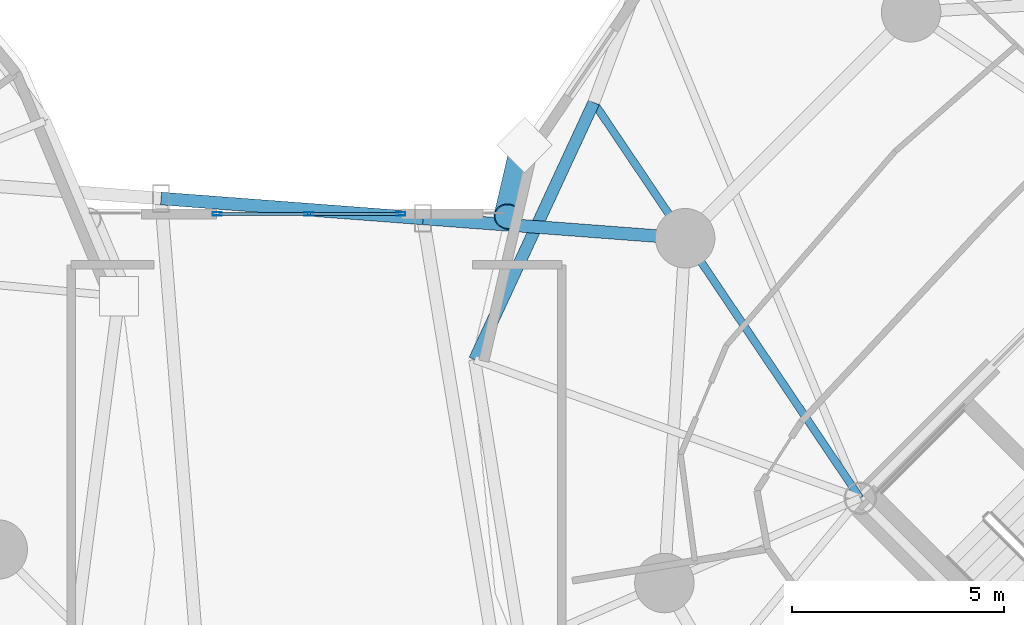
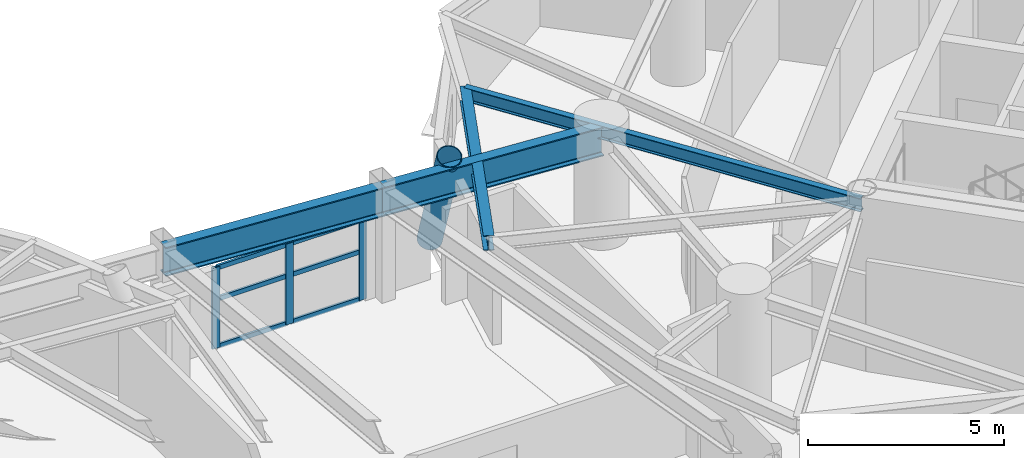
# One storey, part 6 of 20: 10 members, 4 beams, 1 element without a shape of its own.
"""IFC4 building model written with IfcOpenShell, lengths in metres."""

import ifcopenshell
import ifcopenshell.guid

model = None  # the IFC model being written
_history = None  # IfcOwnerHistory: only IFC2X3 demands one
_inside = {}  # id of a spatial element -> (the spatial element, [elements in it])
_under = {}  # id of a project, library or spatial element -> (it, [spatial elements below it])
_declared = {}  # id of a project -> (the project, [libraries it declares])
_typed = {}  # id of a type object -> (the type object, [elements of that type])
_made_of = {}  # id of a material, layer set ... -> (it, [elements and type objects made of it])


def new_model(schema):
    """Start an empty IFC model of exactly this schema.

    Asked for "IFC4X3", IfcOpenShell would pick the latest addendum, in which some entities
    have other attributes; the version numbers below select the first issue.
    IFC2X3 requires an IfcOwnerHistory on every rooted entity: one is made here for all.
    """
    global model, _history
    if schema == "IFC4X3":
        model = ifcopenshell.file(schema_version=(4, 3, 0, 0))
    else:
        model = ifcopenshell.file(schema=schema)
    _inside.clear()
    _under.clear()
    _declared.clear()
    _typed.clear()
    _made_of.clear()
    _history = None
    if model.schema == "IFC2X3":
        org = make("IfcOrganization", Name="unknown")
        user = make(
            "IfcPersonAndOrganization",
            ThePerson=make("IfcPerson", FamilyName="unknown"),
            TheOrganization=org,
        )
        app = make(
            "IfcApplication",
            ApplicationDeveloper=org,
            Version="unknown",
            ApplicationFullName="unknown",
            ApplicationIdentifier="unknown",
        )
        _history = make(
            "IfcOwnerHistory",
            OwningUser=user,
            OwningApplication=app,
            ChangeAction="ADDED",
            CreationDate=0,
        )
    return model


def make(cls, **values):
    """One entity of the class cls with the attributes given. An attribute that is None is left unset."""
    return model.create_entity(
        cls, **{name: value for name, value in values.items() if value is not None}
    )


def rooted(cls, **values):
    """An entity with a GlobalId (a new one), such as an element, a storey or a relation."""
    return make(cls, GlobalId=ifcopenshell.guid.new(), OwnerHistory=_history, **values)


def si_unit(unit_type, name, prefix=None):
    """IfcSIUnit, for example si_unit("LENGTHUNIT", "METRE", prefix="MILLI")."""
    return make("IfcSIUnit", UnitType=unit_type, Prefix=prefix, Name=name)


def assignment(units):
    """IfcUnitAssignment: the units of a project."""
    return None if units is None else make("IfcUnitAssignment", Units=units)


def point(xyz):
    """IfcCartesianPoint."""
    return None if xyz is None else make("IfcCartesianPoint", Coordinates=xyz)


def direction(xyz):
    """IfcDirection."""
    return None if xyz is None else make("IfcDirection", DirectionRatios=xyz)


def frame(location, z_axis=None, x_axis=None):
    """IfcAxis2Placement3D, a coordinate frame: its origin and axes. An axis left out is left unset."""
    return make(
        "IfcAxis2Placement3D",
        Location=point(location),
        Axis=direction(z_axis),
        RefDirection=direction(x_axis),
    )


def frame_2d(location, x_axis=None):
    """IfcAxis2Placement2D, a coordinate frame in the plane: its origin and x axis."""
    return make(
        "IfcAxis2Placement2D", Location=point(location), RefDirection=direction(x_axis)
    )


def origin():
    """The frame at (0, 0, 0) with its axes left unset."""
    return frame((0.0, 0.0, 0.0))


def origin_2d():
    """The frame at (0, 0) in the plane with its x axis left unset."""
    return frame_2d((0.0, 0.0))


def place(relative_to, where):
    """IfcLocalPlacement: puts the frame where relative to a parent placement (None: the world)."""
    return make(
        "IfcLocalPlacement", PlacementRelTo=relative_to, RelativePlacement=where
    )


def context(
    kind, dimensions, precision=None, world=None, true_north=None, identifier=None
):
    """IfcGeometricRepresentationContext, for example the 3D "Model" context."""
    return make(
        "IfcGeometricRepresentationContext",
        ContextIdentifier=identifier,
        ContextType=kind,
        CoordinateSpaceDimension=dimensions,
        Precision=precision,
        WorldCoordinateSystem=world,
        TrueNorth=true_north,
    )


def subcontext(parent, identifier, kind, view, scale=None):
    """IfcGeometricRepresentationSubContext, for example "Body" below "Model"."""
    return make(
        "IfcGeometricRepresentationSubContext",
        ContextIdentifier=identifier,
        ContextType=kind,
        ParentContext=parent,
        TargetScale=scale,
        TargetView=view,
    )


def project(units=None, contexts=None):
    """IfcProject with its units and contexts."""
    return rooted(
        "IfcProject",
        Name="project",
        RepresentationContexts=contexts,
        UnitsInContext=assignment(units),
    )


def spatial(cls, under=None, at=None, **own):
    """A site, building, storey or space (cls), placed at a placement, below another one or the project."""
    s = rooted(cls, ObjectPlacement=at, **own)
    if under is not None:
        _under.setdefault(under.id(), (under, []))[1].append(s)
    return s


def profile(cls, at=None, kind="AREA", **sizes):
    """A parametric profile (cls). Its sizes go by their IFC names, for example OverallWidth=200.0."""
    return make(cls, ProfileType=kind, Position=at, **sizes)


def hollow_rectangle(**sizes):
    """IfcRectangleHollowProfileDef."""
    return profile("IfcRectangleHollowProfileDef", **sizes)


def hollow_circle(**sizes):
    """IfcCircleHollowProfileDef."""
    return profile("IfcCircleHollowProfileDef", **sizes)


def i_section(**sizes):
    """IfcIShapeProfileDef."""
    return profile("IfcIShapeProfileDef", **sizes)


def extrude(swept, where, along, depth):
    """IfcExtrudedAreaSolid: the profile swept, set in the frame where, extruded along a direction by depth."""
    return make(
        "IfcExtrudedAreaSolid",
        SweptArea=swept,
        Position=where,
        ExtrudedDirection=direction(along),
        Depth=depth,
    )


def shape(context_of_items, identifier, shape_type, items):
    """IfcShapeRepresentation: the items that make up one representation, for example the "Body"."""
    return make(
        "IfcShapeRepresentation",
        ContextOfItems=context_of_items,
        RepresentationIdentifier=identifier,
        RepresentationType=shape_type,
        Items=items,
    )


def material(Name=None, Category=None):
    """IfcMaterial."""
    return make("IfcMaterial", Name=Name, Category=Category)


def layer(
    of_material, thickness, ventilated=None, Name=None, Category=None, Priority=None
):
    """IfcMaterialLayer: one layer of a wall or slab, of a material (None: an air gap)."""
    return make(
        "IfcMaterialLayer",
        Material=of_material,
        LayerThickness=thickness,
        IsVentilated=ventilated,
        Name=Name,
        Category=Category,
        Priority=Priority,
    )


def layer_set(layers, Name=None):
    """IfcMaterialLayerSet."""
    return make("IfcMaterialLayerSet", MaterialLayers=layers, LayerSetName=Name)


def material_profile(
    of_material, cross_section, Name=None, Category=None, Priority=None
):
    """IfcMaterialProfile: a cross section and its material."""
    return make(
        "IfcMaterialProfile",
        Name=Name,
        Material=of_material,
        Profile=cross_section,
        Priority=Priority,
        Category=Category,
    )


def profile_set(profiles, Name=None, composite=None):
    """IfcMaterialProfileSet."""
    return make(
        "IfcMaterialProfileSet",
        Name=Name,
        MaterialProfiles=profiles,
        CompositeProfile=composite,
    )


def made_of(thing, what):
    """Note that an element or type object is made of a material, layer set ...; save() writes the relation."""
    if what is not None:
        _made_of.setdefault(what.id(), (what, []))[1].append(thing)
    return thing


def type_object(cls, material=None, **own):
    """A type object (cls), such as IfcWallType, which elements share."""
    return made_of(rooted(cls, **own), material)


def element(
    cls,
    number,
    at=None,
    inside=None,
    cuts=None,
    type_object=None,
    material=None,
    context=None,
    identifier="Body",
    shape_type=None,
    held_by="IfcProductDefinitionShape",
    body=None,
    shapes=None,
    **own,
):
    """One element of the class cls, such as IfcWall. Its Tag is "e" and its number.

    at: its placement. inside: the storey or other place that contains it. cuts: it is an
    opening in that element (IfcRelVoidsElement). A single representation is given by context,
    identifier, shape_type and body (its items); several are given by shapes. held_by: the class
    of the entity that holds the representations. save() writes the other relations.
    """
    e = rooted(cls, Tag="e%d" % number, ObjectPlacement=at, **own)
    if body is not None:
        shapes = [shape(context, identifier, shape_type, body)]
    if shapes is not None:
        e.Representation = make(held_by, Representations=shapes)
    if inside is not None:
        _inside.setdefault(inside.id(), (inside, []))[1].append(e)
    if cuts is not None:
        rooted(
            "IfcRelVoidsElement", RelatingBuildingElement=cuts, RelatedOpeningElement=e
        )
    if type_object is not None:
        _typed.setdefault(type_object.id(), (type_object, []))[1].append(e)
    return made_of(e, material)


def aggregate(whole, parts):
    """IfcRelAggregates: a whole, such as a stair, and the parts it consists of."""
    return rooted("IfcRelAggregates", RelatingObject=whole, RelatedObjects=parts)


def save(model, path):
    """Write the relations noted so far, then the file.

    IfcRelAggregates (storeys below a building ...), IfcRelContainedInSpatialStructure (elements
    in a storey), IfcRelDefinesByType, IfcRelAssociatesMaterial and IfcRelDeclares: one each for
    every whole, place, type object, material and project.
    """
    for whole, parts in _under.values():
        aggregate(whole, parts)
    for where, things in _inside.values():
        rooted(
            "IfcRelContainedInSpatialStructure",
            RelatedElements=things,
            RelatingStructure=where,
        )
    for kind, things in _typed.values():
        rooted("IfcRelDefinesByType", RelatedObjects=things, RelatingType=kind)
    for what, things in _made_of.values():
        rooted("IfcRelAssociatesMaterial", RelatedObjects=things, RelatingMaterial=what)
    for by, libraries in _declared.values():
        rooted("IfcRelDeclares", RelatingContext=by, RelatedDefinitions=libraries)
    model.write(path)


model = new_model("IFC4")

# Units and contexts
model_context = context("Model", 3, precision=1e-05, world=origin(), true_north=direction((0.0, 1.0)))
body_context = subcontext(model_context, "Body", "Model", "MODEL_VIEW")
ifc_project = project(units=[si_unit("LENGTHUNIT", "METRE"), si_unit("AREAUNIT", "SQUARE_METRE"), si_unit("VOLUMEUNIT", "CUBIC_METRE"), si_unit("PLANEANGLEUNIT", "RADIAN"), si_unit("MASSUNIT", "GRAM", prefix="KILO")], contexts=[model_context])

# Site, building, storey
site_placement = place(None, origin())
site = spatial("IfcSite", under=ifc_project, at=site_placement, CompositionType="ELEMENT")
building_placement = place(site_placement, origin())
building = spatial("IfcBuilding", under=site, at=building_placement, Name="Cununo Teusaquillo Station Towers", CompositionType="ELEMENT")
storey_placement = place(building_placement, frame((0.0, 0.0, 129.159912109375)))
storey = spatial("IfcBuildingStorey", under=building, at=storey_placement, Name="L41", CompositionType="ELEMENT", Elevation=129.159912109375)

# Beams
ifc_material_1 = material(Name="Steel EN 10025-2 S355J2", Category="steel")
ifc_material_profile_1 = material_profile(ifc_material_1, i_section(OverallWidth=0.300048828125, OverallDepth=0.89990234375, WebThickness=0.0185546875, FlangeThickness=0.034912109375, FilletRadius=0.027099609375, at=origin_2d()), Name="HEB 900")
ifc_profile_set_1 = profile_set([ifc_material_profile_1], Name="Steel EN 10025-2 S355J2")
beam_type_1 = type_object("IfcBeamType", Name="BM-BRG-CH2", PredefinedType="BEAM", material=ifc_profile_set_1)
beam_1_placement = place(storey_placement, frame((32.51611328125, 32.761474609375, 2.989990234375), z_axis=(0.997143183449, -0.075534572886, 0.0), x_axis=(0.075534572886, 0.997143183449, 0.0)))
element("IfcBeam", 1, at=beam_1_placement, inside=storey, type_object=beam_type_1, Name="L41 Mid-Bridge Chord N2", PredefinedType="BEAM", context=body_context, shape_type="SweptSolid", body=[
    extrude(i_section(OverallWidth=0.300048828125, OverallDepth=0.89990234375, WebThickness=0.0185546875, FlangeThickness=0.034912109375, FilletRadius=0.027099609375, at=origin_2d()), origin(), (0.0, 0.0, 1.0), 6.186279296875),
])
beam_2_placement = place(storey_placement, frame((38.684814453125, 32.294189453125, 2.989990234375), z_axis=(0.997143408598, -0.075531600604, 0.0), x_axis=(0.075531600604, 0.997143408598, 0.0)))
element("IfcBeam", 2, at=beam_2_placement, inside=storey, type_object=beam_type_1, Name="L41 Mid-Bridge Chord N3", PredefinedType="BEAM", context=body_context, shape_type="SweptSolid", body=[
    extrude(i_section(OverallWidth=0.300048828125, OverallDepth=0.89990234375, WebThickness=0.0185546875, FlangeThickness=0.034912109375, FilletRadius=0.027099609375, at=origin_2d()), origin(), (0.0, 0.0, 1.0), 6.1865234375),
])
ifc_material_2 = material(Name="Steel ASTM A572 Grade 50", Category="steel")
ifc_material_profile_2 = material_profile(ifc_material_2, i_section(OverallWidth=0.180908203125, OverallDepth=0.4169921875, WebThickness=0.010986328125, FlangeThickness=0.018310546875, FilletRadius=0.012939453125, at=origin_2d()), Name="W16X57")
ifc_profile_set_2 = profile_set([ifc_material_profile_2], Name="Steel ASTM A572 Grade 50")
beam_type_2 = type_object("IfcBeamType", Name="BM-RAD-G2", PredefinedType="BEAM", material=ifc_profile_set_2)
beam_3_placement = place(storey_placement, frame((48.975830078125, 25.70556640625, 3.231689453125), z_axis=(-0.558572297481, 0.82945583878, 0.0), x_axis=(-0.82945583878, -0.558572297481, 0.0)))
element("IfcBeam", 3, at=beam_3_placement, inside=storey, type_object=beam_type_2, Name="L41 Tower B Continuous Overhanging Radial Girder 04", PredefinedType="BEAM", context=body_context, shape_type="SweptSolid", body=[
    extrude(i_section(OverallWidth=0.180908203125, OverallDepth=0.4169921875, WebThickness=0.010986328125, FlangeThickness=0.018310546875, FilletRadius=0.012939453125, at=origin_2d()), origin(), (0.0, 0.0, 1.0), 11.22998046875),
])
ifc_material_3 = material(Name="Steel ASTM A572 Grade 50", Category="steel")
ifc_material_profile_3 = material_profile(ifc_material_3, i_section(OverallWidth=0.280029296875, OverallDepth=0.462890625, WebThickness=0.0107421875, FlangeThickness=0.017333984375, FilletRadius=0.013916015625, at=origin_2d()), Name="W18X76")
ifc_profile_set_3 = profile_set([ifc_material_profile_3], Name="Steel ASTM A572 Grade 50")
beam_type_3 = type_object("IfcBeamType", Name="BM-RING-Z2", PredefinedType="SPANDREL", material=ifc_profile_set_3)
beam_4_placement = place(storey_placement, frame((42.703125, 35.020263671875, 3.20849609375), z_axis=(-0.420535961689, -0.907275870354, 0.0), x_axis=(0.907275870354, -0.420535961689, 0.0)))
element("IfcBeam", 4, at=beam_4_placement, inside=storey, type_object=beam_type_3, Name="L41 Tower B Spandrel Ring Beam 07", PredefinedType="SPANDREL", context=body_context, shape_type="SweptSolid", body=[
    extrude(i_section(OverallWidth=0.280029296875, OverallDepth=0.462890625, WebThickness=0.0107421875, FlangeThickness=0.017333984375, FilletRadius=0.013916015625, at=origin_2d()), origin(), (0.0, 0.0, 1.0), 6.671142578125),
])

# Curtain wall, members
ifc_material_4 = material(Name="Ceramic-fritted dark low-E double glazing", Category="glass")
ifc_layer = layer(ifc_material_4, 0.179931640625)
ifc_layer_set = layer_set([ifc_layer], Name="Ceramic-fritted dark low-E double glazing")
curtain_wall_type = type_object("IfcCurtainWallType", Name="CW-SYS-05", PredefinedType="USERDEFINED", material=ifc_layer_set)
curtain_wall_placement = place(storey_placement, origin())
curtain_wall = element("IfcCurtainWall", 5, at=curtain_wall_placement, inside=storey, type_object=curtain_wall_type, Name="L41 Mid-Bridge N Observation Curtain Wall", ObjectType="FRITTED GLAZING", PredefinedType="USERDEFINED")
ifc_material_5 = material(Name="Anodised dark bronze aluminium EN AW-6063-T6", Category="aluminium")
ifc_material_profile_4 = material_profile(ifc_material_5, hollow_rectangle(XDim=0.080078125, YDim=0.219970703125, WallThickness=0.0048828125, at=origin_2d()), Name="CW-MULL-80x220")
ifc_profile_set_4 = profile_set([ifc_material_profile_4], Name="Anodised dark bronze aluminium EN AW-6063-T6")
member_type_1 = type_object("IfcMemberType", Name="CWM-220", PredefinedType="MULLION", material=ifc_profile_set_4)
member_1_placement = place(storey_placement, frame((33.840087890625, 32.39990234375, 0.0), z_axis=(0.0, 0.0, 1.0), x_axis=(0.0, 1.0, 0.0)))
member_1 = element("IfcMember", 6, at=member_1_placement, type_object=member_type_1, Name="CW-05 mullion 1", PredefinedType="MULLION", context=body_context, shape_type="SweptSolid", body=[
    extrude(hollow_rectangle(XDim=0.080078125, YDim=0.219970703125, WallThickness=0.0048828125, at=origin_2d()), origin(), (0.0, 0.0, 1.0), 2.51220703125),
])
member_2_placement = place(storey_placement, frame((36.0, 32.39990234375, 0.0), z_axis=(0.0, 0.0, 1.0), x_axis=(0.0, 1.0, 0.0)))
member_2 = element("IfcMember", 7, at=member_2_placement, type_object=member_type_1, Name="CW-05 mullion 2", PredefinedType="MULLION", context=body_context, shape_type="SweptSolid", body=[
    extrude(hollow_rectangle(XDim=0.080078125, YDim=0.219970703125, WallThickness=0.0048828125, at=origin_2d()), origin(), (0.0, 0.0, 1.0), 2.51220703125),
])
member_3_placement = place(storey_placement, frame((38.159912109375, 32.39990234375, 0.0), z_axis=(0.0, 0.0, 1.0), x_axis=(0.0, 1.0, 0.0)))
member_3 = element("IfcMember", 8, at=member_3_placement, type_object=member_type_1, Name="CW-05 mullion 3", PredefinedType="MULLION", context=body_context, shape_type="SweptSolid", body=[
    extrude(hollow_rectangle(XDim=0.080078125, YDim=0.219970703125, WallThickness=0.0048828125, at=origin_2d()), origin(), (0.0, 0.0, 1.0), 2.51220703125),
])
ifc_material_6 = material(Name="Anodised dark bronze aluminium EN AW-6063-T6", Category="aluminium")
ifc_material_profile_5 = material_profile(ifc_material_6, hollow_rectangle(XDim=0.070068359375, YDim=0.139892578125, WallThickness=0.00390625, at=origin_2d()), Name="CW-TRAN-70x140")
ifc_profile_set_5 = profile_set([ifc_material_profile_5], Name="Anodised dark bronze aluminium EN AW-6063-T6")
member_type_2 = type_object("IfcMemberType", Name="CWT-140", PredefinedType="USERDEFINED", material=ifc_profile_set_5)
member_4_placement = place(storey_placement, frame((33.8798828125, 32.39990234375, 0.03515625), z_axis=(1.0, 0.0, 0.0), x_axis=(0.0, 1.0, 0.0)))
member_4 = element("IfcMember", 9, at=member_4_placement, type_object=member_type_2, Name="CW-05 transom 1.1", ObjectType="TRANSOM", PredefinedType="USERDEFINED", context=body_context, shape_type="SweptSolid", body=[
    extrude(hollow_rectangle(XDim=0.070068359375, YDim=0.139892578125, WallThickness=0.00390625, at=origin_2d()), origin(), (0.0, 0.0, 1.0), 2.080078125),
])
member_5_placement = place(storey_placement, frame((33.8798828125, 32.39990234375, 1.507080078125), z_axis=(1.0, 0.0, 0.0), x_axis=(0.0, 1.0, 0.0)))
member_5 = element("IfcMember", 10, at=member_5_placement, type_object=member_type_2, Name="CW-05 transom 1.2", ObjectType="TRANSOM", PredefinedType="USERDEFINED", context=body_context, shape_type="SweptSolid", body=[
    extrude(hollow_rectangle(XDim=0.070068359375, YDim=0.139892578125, WallThickness=0.00390625, at=origin_2d()), origin(), (0.0, 0.0, 1.0), 2.080078125),
])
member_6_placement = place(storey_placement, frame((33.8798828125, 32.39990234375, 2.47705078125), z_axis=(1.0, 0.0, 0.0), x_axis=(0.0, 1.0, 0.0)))
member_6 = element("IfcMember", 11, at=member_6_placement, type_object=member_type_2, Name="CW-05 transom 1.3", ObjectType="TRANSOM", PredefinedType="USERDEFINED", context=body_context, shape_type="SweptSolid", body=[
    extrude(hollow_rectangle(XDim=0.070068359375, YDim=0.139892578125, WallThickness=0.00390625, at=origin_2d()), origin(), (0.0, 0.0, 1.0), 2.080078125),
])
member_7_placement = place(storey_placement, frame((36.0400390625, 32.39990234375, 0.03515625), z_axis=(1.0, 0.0, 0.0), x_axis=(0.0, 1.0, 0.0)))
member_7 = element("IfcMember", 12, at=member_7_placement, type_object=member_type_2, Name="CW-05 transom 2.1", ObjectType="TRANSOM", PredefinedType="USERDEFINED", context=body_context, shape_type="SweptSolid", body=[
    extrude(hollow_rectangle(XDim=0.070068359375, YDim=0.139892578125, WallThickness=0.00390625, at=origin_2d()), origin(), (0.0, 0.0, 1.0), 2.080078125),
])
member_8_placement = place(storey_placement, frame((36.0400390625, 32.39990234375, 1.507080078125), z_axis=(1.0, 0.0, 0.0), x_axis=(0.0, 1.0, 0.0)))
member_8 = element("IfcMember", 13, at=member_8_placement, type_object=member_type_2, Name="CW-05 transom 2.2", ObjectType="TRANSOM", PredefinedType="USERDEFINED", context=body_context, shape_type="SweptSolid", body=[
    extrude(hollow_rectangle(XDim=0.070068359375, YDim=0.139892578125, WallThickness=0.00390625, at=origin_2d()), origin(), (0.0, 0.0, 1.0), 2.080078125),
])
member_9_placement = place(storey_placement, frame((36.0400390625, 32.39990234375, 2.47705078125), z_axis=(1.0, 0.0, 0.0), x_axis=(0.0, 1.0, 0.0)))
member_9 = element("IfcMember", 14, at=member_9_placement, type_object=member_type_2, Name="CW-05 transom 2.3", ObjectType="TRANSOM", PredefinedType="USERDEFINED", context=body_context, shape_type="SweptSolid", body=[
    extrude(hollow_rectangle(XDim=0.070068359375, YDim=0.139892578125, WallThickness=0.00390625, at=origin_2d()), origin(), (0.0, 0.0, 1.0), 2.080078125),
])
aggregate(curtain_wall, [member_1, member_2, member_3, member_4, member_5, member_6, member_7, member_8, member_9])

# Member
ifc_material_7 = material(Name="Steel EN 10025-2 S355J2", Category="steel")
ifc_material_profile_6 = material_profile(ifc_material_7, hollow_circle(Radius=0.330078125, WallThickness=0.02490234375, at=origin_2d()), Name="CHS 660x25")
ifc_profile_set_6 = profile_set([ifc_material_profile_6], Name="Steel EN 10025-2 S355J2")
member_type_3 = type_object("IfcMemberType", Name="MBR-DIAG-Z2", PredefinedType="BRACE", material=ifc_profile_set_6)
member_10_placement = place(storey_placement, frame((41.07470703125, 34.019775390625, -0.139892578125), z_axis=(-0.095639341372, -0.410529045914, 0.90681807373), x_axis=(0.973920299704, -0.226890391653, 0.0)))
element("IfcMember", 15, at=member_10_placement, inside=storey, type_object=member_type_3, Name="L41 Tower B Folded-Zigzag Diagrid Tube C06", PredefinedType="BRACE", context=body_context, shape_type="SweptSolid", body=[
    extrude(hollow_circle(Radius=0.330078125, WallThickness=0.02490234375, at=origin_2d()), origin(), (0.0, 0.0, 1.0), 4.102294921875),
])

save(model, "model.ifc")
